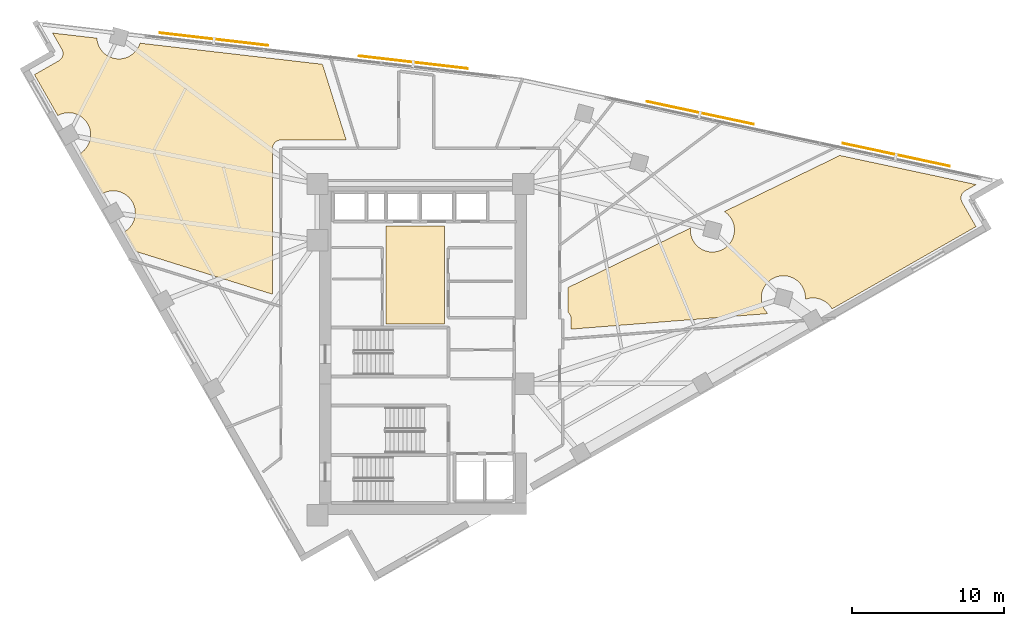
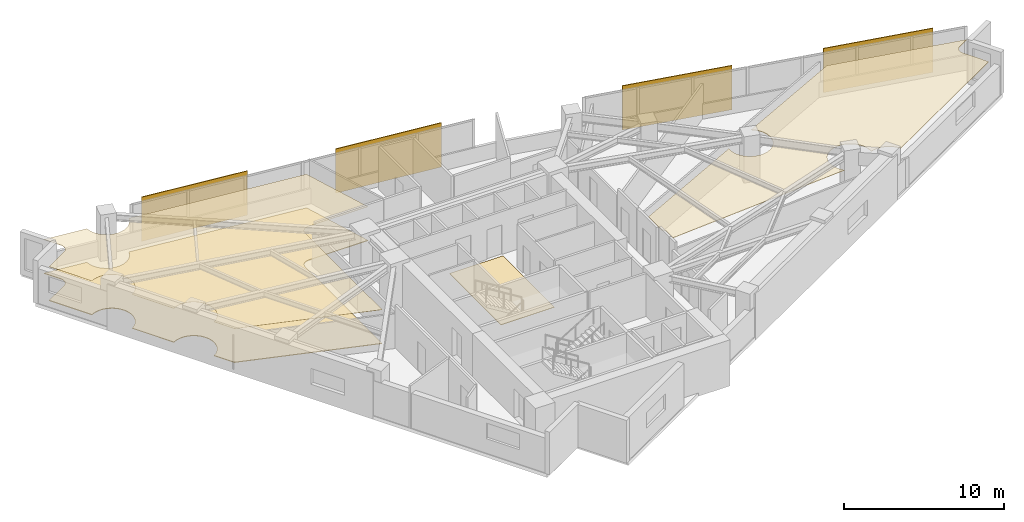
# One storey, part 14 of 14: 4 coverings, 4 shading devices.
"""IFC4 building model written with IfcOpenShell, lengths in metres."""

import ifcopenshell
import ifcopenshell.guid

model = None  # the IFC model being written
_history = None  # IfcOwnerHistory: only IFC2X3 demands one
_inside = {}  # id of a spatial element -> (the spatial element, [elements in it])
_under = {}  # id of a project, library or spatial element -> (it, [spatial elements below it])
_declared = {}  # id of a project -> (the project, [libraries it declares])
_typed = {}  # id of a type object -> (the type object, [elements of that type])
_made_of = {}  # id of a material, layer set ... -> (it, [elements and type objects made of it])


def new_model(schema):
    """Start an empty IFC model of exactly this schema.

    Asked for "IFC4X3", IfcOpenShell would pick the latest addendum, in which some entities
    have other attributes; the version numbers below select the first issue.
    IFC2X3 requires an IfcOwnerHistory on every rooted entity: one is made here for all.
    """
    global model, _history
    if schema == "IFC4X3":
        model = ifcopenshell.file(schema_version=(4, 3, 0, 0))
    else:
        model = ifcopenshell.file(schema=schema)
    _inside.clear()
    _under.clear()
    _declared.clear()
    _typed.clear()
    _made_of.clear()
    _history = None
    if model.schema == "IFC2X3":
        org = make("IfcOrganization", Name="unknown")
        user = make(
            "IfcPersonAndOrganization",
            ThePerson=make("IfcPerson", FamilyName="unknown"),
            TheOrganization=org,
        )
        app = make(
            "IfcApplication",
            ApplicationDeveloper=org,
            Version="unknown",
            ApplicationFullName="unknown",
            ApplicationIdentifier="unknown",
        )
        _history = make(
            "IfcOwnerHistory",
            OwningUser=user,
            OwningApplication=app,
            ChangeAction="ADDED",
            CreationDate=0,
        )
    return model


def make(cls, **values):
    """One entity of the class cls with the attributes given. An attribute that is None is left unset."""
    return model.create_entity(
        cls, **{name: value for name, value in values.items() if value is not None}
    )


def rooted(cls, **values):
    """An entity with a GlobalId (a new one), such as an element, a storey or a relation."""
    return make(cls, GlobalId=ifcopenshell.guid.new(), OwnerHistory=_history, **values)


def si_unit(unit_type, name, prefix=None):
    """IfcSIUnit, for example si_unit("LENGTHUNIT", "METRE", prefix="MILLI")."""
    return make("IfcSIUnit", UnitType=unit_type, Prefix=prefix, Name=name)


def assignment(units):
    """IfcUnitAssignment: the units of a project."""
    return None if units is None else make("IfcUnitAssignment", Units=units)


def point(xyz):
    """IfcCartesianPoint."""
    return None if xyz is None else make("IfcCartesianPoint", Coordinates=xyz)


def direction(xyz):
    """IfcDirection."""
    return None if xyz is None else make("IfcDirection", DirectionRatios=xyz)


def frame(location, z_axis=None, x_axis=None):
    """IfcAxis2Placement3D, a coordinate frame: its origin and axes. An axis left out is left unset."""
    return make(
        "IfcAxis2Placement3D",
        Location=point(location),
        Axis=direction(z_axis),
        RefDirection=direction(x_axis),
    )


def frame_2d(location, x_axis=None):
    """IfcAxis2Placement2D, a coordinate frame in the plane: its origin and x axis."""
    return make(
        "IfcAxis2Placement2D", Location=point(location), RefDirection=direction(x_axis)
    )


def origin():
    """The frame at (0, 0, 0) with its axes left unset."""
    return frame((0.0, 0.0, 0.0))


def origin_2d():
    """The frame at (0, 0) in the plane with its x axis left unset."""
    return frame_2d((0.0, 0.0))


def place(relative_to, where):
    """IfcLocalPlacement: puts the frame where relative to a parent placement (None: the world)."""
    return make(
        "IfcLocalPlacement", PlacementRelTo=relative_to, RelativePlacement=where
    )


def context(
    kind, dimensions, precision=None, world=None, true_north=None, identifier=None
):
    """IfcGeometricRepresentationContext, for example the 3D "Model" context."""
    return make(
        "IfcGeometricRepresentationContext",
        ContextIdentifier=identifier,
        ContextType=kind,
        CoordinateSpaceDimension=dimensions,
        Precision=precision,
        WorldCoordinateSystem=world,
        TrueNorth=true_north,
    )


def subcontext(parent, identifier, kind, view, scale=None):
    """IfcGeometricRepresentationSubContext, for example "Body" below "Model"."""
    return make(
        "IfcGeometricRepresentationSubContext",
        ContextIdentifier=identifier,
        ContextType=kind,
        ParentContext=parent,
        TargetScale=scale,
        TargetView=view,
    )


def project(units=None, contexts=None):
    """IfcProject with its units and contexts."""
    return rooted(
        "IfcProject",
        Name="project",
        RepresentationContexts=contexts,
        UnitsInContext=assignment(units),
    )


def spatial(cls, under=None, at=None, **own):
    """A site, building, storey or space (cls), placed at a placement, below another one or the project."""
    s = rooted(cls, ObjectPlacement=at, **own)
    if under is not None:
        _under.setdefault(under.id(), (under, []))[1].append(s)
    return s


def polyline(points):
    """IfcPolyline through the points."""
    return make("IfcPolyline", Points=[point(p) for p in points])


def profile(cls, at=None, kind="AREA", **sizes):
    """A parametric profile (cls). Its sizes go by their IFC names, for example OverallWidth=200.0."""
    return make(cls, ProfileType=kind, Position=at, **sizes)


def rectangle(**sizes):
    """IfcRectangleProfileDef."""
    return profile("IfcRectangleProfileDef", **sizes)


def outline(outer, holes=None, kind="AREA"):
    """IfcArbitraryClosedProfileDef: a profile drawn as a closed curve; with holes, ...WithVoids."""
    if holes is None:
        return make("IfcArbitraryClosedProfileDef", ProfileType=kind, OuterCurve=outer)
    return make(
        "IfcArbitraryProfileDefWithVoids",
        ProfileType=kind,
        OuterCurve=outer,
        InnerCurves=holes,
    )


def extrude(swept, where, along, depth):
    """IfcExtrudedAreaSolid: the profile swept, set in the frame where, extruded along a direction by depth."""
    return make(
        "IfcExtrudedAreaSolid",
        SweptArea=swept,
        Position=where,
        ExtrudedDirection=direction(along),
        Depth=depth,
    )


def shape(context_of_items, identifier, shape_type, items):
    """IfcShapeRepresentation: the items that make up one representation, for example the "Body"."""
    return make(
        "IfcShapeRepresentation",
        ContextOfItems=context_of_items,
        RepresentationIdentifier=identifier,
        RepresentationType=shape_type,
        Items=items,
    )


def material(Name=None, Category=None):
    """IfcMaterial."""
    return make("IfcMaterial", Name=Name, Category=Category)


def layer(
    of_material, thickness, ventilated=None, Name=None, Category=None, Priority=None
):
    """IfcMaterialLayer: one layer of a wall or slab, of a material (None: an air gap)."""
    return make(
        "IfcMaterialLayer",
        Material=of_material,
        LayerThickness=thickness,
        IsVentilated=ventilated,
        Name=Name,
        Category=Category,
        Priority=Priority,
    )


def layer_set(layers, Name=None):
    """IfcMaterialLayerSet."""
    return make("IfcMaterialLayerSet", MaterialLayers=layers, LayerSetName=Name)


def made_of(thing, what):
    """Note that an element or type object is made of a material, layer set ...; save() writes the relation."""
    if what is not None:
        _made_of.setdefault(what.id(), (what, []))[1].append(thing)
    return thing


def type_object(cls, material=None, **own):
    """A type object (cls), such as IfcWallType, which elements share."""
    return made_of(rooted(cls, **own), material)


def element(
    cls,
    number,
    at=None,
    inside=None,
    cuts=None,
    type_object=None,
    material=None,
    context=None,
    identifier="Body",
    shape_type=None,
    held_by="IfcProductDefinitionShape",
    body=None,
    shapes=None,
    **own,
):
    """One element of the class cls, such as IfcWall. Its Tag is "e" and its number.

    at: its placement. inside: the storey or other place that contains it. cuts: it is an
    opening in that element (IfcRelVoidsElement). A single representation is given by context,
    identifier, shape_type and body (its items); several are given by shapes. held_by: the class
    of the entity that holds the representations. save() writes the other relations.
    """
    e = rooted(cls, Tag="e%d" % number, ObjectPlacement=at, **own)
    if body is not None:
        shapes = [shape(context, identifier, shape_type, body)]
    if shapes is not None:
        e.Representation = make(held_by, Representations=shapes)
    if inside is not None:
        _inside.setdefault(inside.id(), (inside, []))[1].append(e)
    if cuts is not None:
        rooted(
            "IfcRelVoidsElement", RelatingBuildingElement=cuts, RelatedOpeningElement=e
        )
    if type_object is not None:
        _typed.setdefault(type_object.id(), (type_object, []))[1].append(e)
    return made_of(e, material)


def aggregate(whole, parts):
    """IfcRelAggregates: a whole, such as a stair, and the parts it consists of."""
    return rooted("IfcRelAggregates", RelatingObject=whole, RelatedObjects=parts)


def save(model, path):
    """Write the relations noted so far, then the file.

    IfcRelAggregates (storeys below a building ...), IfcRelContainedInSpatialStructure (elements
    in a storey), IfcRelDefinesByType, IfcRelAssociatesMaterial and IfcRelDeclares: one each for
    every whole, place, type object, material and project.
    """
    for whole, parts in _under.values():
        aggregate(whole, parts)
    for where, things in _inside.values():
        rooted(
            "IfcRelContainedInSpatialStructure",
            RelatedElements=things,
            RelatingStructure=where,
        )
    for kind, things in _typed.values():
        rooted("IfcRelDefinesByType", RelatedObjects=things, RelatingType=kind)
    for what, things in _made_of.values():
        rooted("IfcRelAssociatesMaterial", RelatedObjects=things, RelatingMaterial=what)
    for by, libraries in _declared.values():
        rooted("IfcRelDeclares", RelatingContext=by, RelatedDefinitions=libraries)
    model.write(path)


model = new_model("IFC4")

# Units and contexts
model_context = context("Model", 3, precision=1e-05, world=origin(), true_north=direction((0.0, 1.0)))
body_context = subcontext(model_context, "Body", "Model", "MODEL_VIEW")
ifc_project = project(units=[si_unit("LENGTHUNIT", "METRE"), si_unit("AREAUNIT", "SQUARE_METRE"), si_unit("VOLUMEUNIT", "CUBIC_METRE"), si_unit("PLANEANGLEUNIT", "RADIAN"), si_unit("MASSUNIT", "GRAM", prefix="KILO")], contexts=[model_context])

# Site, building, storey
site_placement = place(None, origin())
site = spatial("IfcSite", under=ifc_project, at=site_placement, CompositionType="ELEMENT")
building_placement = place(site_placement, origin())
building = spatial("IfcBuilding", under=site, at=building_placement, Name="Narakoshi Arena Tower", CompositionType="ELEMENT")
storey_placement = place(building_placement, frame((0.0, 0.0, 211.4599609375)))
storey = spatial("IfcBuildingStorey", under=building, at=storey_placement, Name="L57", CompositionType="ELEMENT", Elevation=211.4599609375)

# Coverings
ifc_material_1 = material(Name="Acoustic mineral-fibre ceiling tile")
ifc_layer_1 = layer(ifc_material_1, 0.02001953125)
ifc_layer_set_1 = layer_set([ifc_layer_1], Name="Acoustic mineral-fibre ceiling tile")
covering_type_1 = type_object("IfcCoveringType", Name="COV-CLG-AC20", PredefinedType="CEILING", material=ifc_layer_set_1)
covering_1_placement = place(storey_placement, frame((0.0, 0.0, 2.590087890625)))
element("IfcCovering", 1, at=covering_1_placement, inside=storey, type_object=covering_type_1, Name="L57 Suspended Acoustic Ceiling 1", PredefinedType="CEILING", context=body_context, shape_type="SweptSolid", body=[
    extrude(outline(polyline([(54.981201171875, 64.615478515625), (55.026611328125, 64.644287109375), (55.069091796875, 64.677734375), (55.10791015625, 64.715087890625), (55.14306640625, 64.756103515625), (55.174072265625, 64.80029296875), (55.200439453125, 64.847412109375), (55.22216796875, 64.89697265625), (55.23876953125, 64.9482421875), (55.25048828125, 65.0009765625), (55.2568359375, 65.054443359375), (55.258056640625, 65.1083984375), (55.25390625, 65.162353515625), (55.244384765625, 65.215576171875), (55.229736328125, 65.267333984375), (55.210205078125, 65.317626953125), (55.185791015625, 65.36572265625), (54.573486328125, 66.43701171875), (57.48828125, 66.099609375), (57.4912109375, 66.041748046875), (57.51220703125, 65.90087890625), (57.546630859375, 65.762939453125), (57.5947265625, 65.62890625), (57.655517578125, 65.500244140625), (57.728759765625, 65.378173828125), (57.8134765625, 65.263916015625), (57.908935546875, 65.158447265625), (58.014404296875, 65.06298828125), (58.128662109375, 64.978271484375), (58.250732421875, 64.905029296875), (58.37939453125, 64.84423828125), (58.513427734375, 64.796142578125), (58.6513671875, 64.76171875), (58.792236328125, 64.74072265625), (58.934326171875, 64.73388671875), (59.076416015625, 64.74072265625), (59.21728515625, 64.76171875), (59.355224609375, 64.796142578125), (59.4892578125, 64.84423828125), (59.617919921875, 64.905029296875), (59.739990234375, 64.978271484375), (59.854248046875, 65.06298828125), (59.959716796875, 65.158447265625), (60.05517578125, 65.263916015625), (60.139892578125, 65.378173828125), (60.213134765625, 65.500244140625), (60.27392578125, 65.62890625), (60.322021484375, 65.762939453125), (60.323974609375, 65.771240234375), (72.333251953125, 64.380615234375), (73.89208984375, 59.39990234375), (69.60009765625, 59.39990234375), (69.546142578125, 59.3974609375), (69.49267578125, 59.389404296875), (69.440185546875, 59.376220703125), (69.389404296875, 59.358154296875), (69.3408203125, 59.335205078125), (69.29443359375, 59.307373046875), (69.251220703125, 59.275146484375), (69.211181640625, 59.239013671875), (69.1748046875, 59.198974609375), (69.142578125, 59.155517578125), (69.114990234375, 59.109375), (69.091796875, 59.060546875), (69.07373046875, 59.009765625), (69.060546875, 58.957275390625), (69.052490234375, 58.90380859375), (69.050048828125, 58.85009765625), (69.050048828125, 49.242919921875), (60.02001953125, 52.07177734375), (59.290283203125, 53.348388671875), (59.368408203125, 53.3955078125), (59.482666015625, 53.47998046875), (59.588134765625, 53.57568359375), (59.68359375, 53.68115234375), (59.768310546875, 53.79541015625), (59.841552734375, 53.91748046875), (59.90234375, 54.046142578125), (59.950439453125, 54.18017578125), (59.98486328125, 54.318115234375), (60.005859375, 54.458984375), (60.0126953125, 54.60107421875), (60.005859375, 54.7431640625), (59.98486328125, 54.8837890625), (59.950439453125, 55.02197265625), (59.90234375, 55.156005859375), (59.841552734375, 55.284423828125), (59.768310546875, 55.406494140625), (59.68359375, 55.52099609375), (59.588134765625, 55.626220703125), (59.482666015625, 55.721923828125), (59.368408203125, 55.806640625), (59.246337890625, 55.8798828125), (59.11767578125, 55.940673828125), (58.983642578125, 55.988525390625), (58.845703125, 56.023193359375), (58.704833984375, 56.0439453125), (58.562744140625, 56.051025390625), (58.420654296875, 56.0439453125), (58.27978515625, 56.023193359375), (58.141845703125, 55.988525390625), (58.0078125, 55.940673828125), (57.87939453125, 55.8798828125), (57.8525390625, 55.86376953125), (56.35205078125, 58.489013671875), (56.430419921875, 58.535888671875), (56.544677734375, 58.62060546875), (56.64990234375, 58.71630859375), (56.74560546875, 58.82177734375), (56.830322265625, 58.93603515625), (56.903564453125, 59.05810546875), (56.96435546875, 59.186767578125), (57.01220703125, 59.32080078125), (57.046875, 59.458740234375), (57.067626953125, 59.599609375), (57.07470703125, 59.74169921875), (57.067626953125, 59.8837890625), (57.046875, 60.0244140625), (57.01220703125, 60.16259765625), (56.96435546875, 60.29638671875), (56.903564453125, 60.425048828125), (56.830322265625, 60.547119140625), (56.74560546875, 60.66162109375), (56.64990234375, 60.766845703125), (56.544677734375, 60.862548828125), (56.430419921875, 60.947265625), (56.30810546875, 61.0205078125), (56.1796875, 61.081298828125), (56.045654296875, 61.129150390625), (55.90771484375, 61.163818359375), (55.766845703125, 61.1845703125), (55.624755859375, 61.191650390625), (55.482666015625, 61.1845703125), (55.341796875, 61.163818359375), (55.203857421875, 61.129150390625), (55.06982421875, 61.081298828125), (54.941162109375, 61.0205078125), (54.91455078125, 61.00439453125), (53.375244140625, 63.697509765625), (54.981201171875, 64.615478515625)])), origin(), (0.0, 0.0, 1.0), 0.02001953125),
])
ifc_material_2 = material(Name="Slatted oak acoustic timber baffle", Category="wood")
ifc_layer_2 = layer(ifc_material_2, 0.034912109375)
ifc_layer_set_2 = layer_set([ifc_layer_2], Name="Slatted oak acoustic timber baffle")
covering_type_2 = type_object("IfcCoveringType", Name="COV-CLG-WD35", PredefinedType="CEILING", material=ifc_layer_set_2)
covering_2_placement = place(storey_placement, frame((0.0, 0.0, 2.574951171875)))
element("IfcCovering", 2, at=covering_2_placement, inside=storey, type_object=covering_type_2, Name="L57 Suspended Acoustic Ceiling 2", PredefinedType="CEILING", context=body_context, shape_type="SweptSolid", body=[
    extrude(outline(polyline([(88.5, 49.688720703125), (96.55419921875, 53.6025390625), (96.5478515625, 53.47509765625), (96.554931640625, 53.3330078125), (96.57568359375, 53.1923828125), (96.6103515625, 53.05419921875), (96.658203125, 52.92041015625), (96.718994140625, 52.791748046875), (96.792236328125, 52.669677734375), (96.876953125, 52.555419921875), (96.97265625, 52.449951171875), (97.077880859375, 52.354248046875), (97.1923828125, 52.26953125), (97.314453125, 52.1962890625), (97.443115234375, 52.135498046875), (97.576904296875, 52.087646484375), (97.715087890625, 52.052978515625), (97.855712890625, 52.0322265625), (97.997802734375, 52.025146484375), (98.139892578125, 52.0322265625), (98.28076171875, 52.052978515625), (98.418701171875, 52.087646484375), (98.552734375, 52.135498046875), (98.681396484375, 52.1962890625), (98.803466796875, 52.26953125), (98.917724609375, 52.354248046875), (99.023193359375, 52.449951171875), (99.118896484375, 52.555419921875), (99.20361328125, 52.669677734375), (99.276611328125, 52.791748046875), (99.33740234375, 52.92041015625), (99.385498046875, 53.05419921875), (99.419921875, 53.1923828125), (99.44091796875, 53.3330078125), (99.447998046875, 53.47509765625), (99.44091796875, 53.6171875), (99.419921875, 53.758056640625), (99.385498046875, 53.89599609375), (99.33740234375, 54.030029296875), (99.276611328125, 54.15869140625), (99.20361328125, 54.28076171875), (99.118896484375, 54.39501953125), (99.023193359375, 54.50048828125), (98.917724609375, 54.59619140625), (98.803466796875, 54.680908203125), (98.789794921875, 54.68896484375), (106.384765625, 58.37939453125), (115.35791015625, 56.462890625), (114.636962890625, 56.05078125), (114.591552734375, 56.021728515625), (114.549072265625, 55.98828125), (114.510009765625, 55.950927734375), (114.47509765625, 55.909912109375), (114.444091796875, 55.86572265625), (114.417724609375, 55.818603515625), (114.39599609375, 55.769287109375), (114.37939453125, 55.718017578125), (114.36767578125, 55.665283203125), (114.361083984375, 55.61181640625), (114.360107421875, 55.5576171875), (114.3642578125, 55.50390625), (114.373779296875, 55.45068359375), (114.38818359375, 55.398681640625), (114.407958984375, 55.348388671875), (114.432373046875, 55.30029296875), (115.35009765625, 53.694580078125), (105.927490234375, 48.30908203125), (105.856689453125, 48.303466796875), (105.825439453125, 48.355712890625), (105.74072265625, 48.469970703125), (105.64501953125, 48.5751953125), (105.539794921875, 48.6708984375), (105.42529296875, 48.755615234375), (105.30322265625, 48.828857421875), (105.1748046875, 48.8896484375), (105.040771484375, 48.9375), (104.902587890625, 48.97216796875), (104.761962890625, 48.992919921875), (104.619873046875, 49.0), (104.477783203125, 48.992919921875), (104.3369140625, 48.97216796875), (104.198974609375, 48.9375), (104.11376953125, 48.906982421875), (104.118896484375, 49.009521484375), (104.11181640625, 49.151611328125), (104.0908203125, 49.29248046875), (104.056396484375, 49.430419921875), (104.00830078125, 49.564453125), (103.947509765625, 49.693115234375), (103.87451171875, 49.815185546875), (103.789794921875, 49.929443359375), (103.694091796875, 50.034912109375), (103.588623046875, 50.13037109375), (103.474365234375, 50.215087890625), (103.352294921875, 50.288330078125), (103.2236328125, 50.34912109375), (103.089599609375, 50.397216796875), (102.95166015625, 50.431640625), (102.810791015625, 50.452392578125), (102.668701171875, 50.45947265625), (102.526611328125, 50.452392578125), (102.385986328125, 50.431640625), (102.247802734375, 50.397216796875), (102.114013671875, 50.34912109375), (101.9853515625, 50.288330078125), (101.86328125, 50.215087890625), (101.748779296875, 50.13037109375), (101.6435546875, 50.034912109375), (101.5478515625, 49.929443359375), (101.463134765625, 49.815185546875), (101.389892578125, 49.693115234375), (101.3291015625, 49.564453125), (101.28125, 49.430419921875), (101.24658203125, 49.29248046875), (101.225830078125, 49.151611328125), (101.21875, 49.009521484375), (101.225830078125, 48.867431640625), (101.24658203125, 48.7265625), (101.28125, 48.588623046875), (101.3291015625, 48.45458984375), (101.389892578125, 48.325927734375), (101.463134765625, 48.203857421875), (101.5478515625, 48.089599609375), (101.6435546875, 47.984130859375), (101.65771484375, 47.97119140625), (88.699951171875, 46.946533203125), (88.699951171875, 47.6201171875), (88.697509765625, 47.673828125), (88.689453125, 47.727294921875), (88.67626953125, 47.77978515625), (88.658203125, 47.83056640625), (88.635009765625, 47.87939453125), (88.607421875, 47.925537109375), (88.5751953125, 47.968994140625), (88.538818359375, 48.0087890625), (88.5, 48.044189453125), (88.5, 49.688720703125)])), origin(), (0.0, 0.0, 1.0), 0.03515625),
])
ifc_material_3 = material(Name="Raised steel access floor panel", Category="steel")
ifc_layer_3 = layer(ifc_material_3, 0.044921875)
ifc_layer_set_3 = layer_set([ifc_layer_3], Name="Raised steel access floor panel")
covering_type_3 = type_object("IfcCoveringType", Name="COV-FLR-RF45", PredefinedType="FLOORING", material=ifc_layer_set_3)
covering_3_placement = place(storey_placement, origin())
element("IfcCovering", 3, at=covering_3_placement, inside=storey, type_object=covering_type_3, Name="L57 Raised Steel Access Floor", PredefinedType="FLOORING", context=body_context, shape_type="SweptSolid", body=[
    extrude(outline(polyline([(54.981201171875, 64.615478515625), (55.026611328125, 64.644287109375), (55.069091796875, 64.677734375), (55.10791015625, 64.715087890625), (55.14306640625, 64.756103515625), (55.174072265625, 64.80029296875), (55.200439453125, 64.847412109375), (55.22216796875, 64.89697265625), (55.23876953125, 64.9482421875), (55.25048828125, 65.0009765625), (55.2568359375, 65.054443359375), (55.258056640625, 65.1083984375), (55.25390625, 65.162353515625), (55.244384765625, 65.215576171875), (55.229736328125, 65.267333984375), (55.210205078125, 65.317626953125), (55.185791015625, 65.36572265625), (54.573486328125, 66.43701171875), (57.48828125, 66.099609375), (57.4912109375, 66.041748046875), (57.51220703125, 65.90087890625), (57.546630859375, 65.762939453125), (57.5947265625, 65.62890625), (57.655517578125, 65.500244140625), (57.728759765625, 65.378173828125), (57.8134765625, 65.263916015625), (57.908935546875, 65.158447265625), (58.014404296875, 65.06298828125), (58.128662109375, 64.978271484375), (58.250732421875, 64.905029296875), (58.37939453125, 64.84423828125), (58.513427734375, 64.796142578125), (58.6513671875, 64.76171875), (58.792236328125, 64.74072265625), (58.934326171875, 64.73388671875), (59.076416015625, 64.74072265625), (59.21728515625, 64.76171875), (59.355224609375, 64.796142578125), (59.4892578125, 64.84423828125), (59.617919921875, 64.905029296875), (59.739990234375, 64.978271484375), (59.854248046875, 65.06298828125), (59.959716796875, 65.158447265625), (60.05517578125, 65.263916015625), (60.139892578125, 65.378173828125), (60.213134765625, 65.500244140625), (60.27392578125, 65.62890625), (60.322021484375, 65.762939453125), (60.323974609375, 65.771240234375), (72.333251953125, 64.380615234375), (73.89208984375, 59.39990234375), (69.60009765625, 59.39990234375), (69.546142578125, 59.3974609375), (69.49267578125, 59.389404296875), (69.440185546875, 59.376220703125), (69.389404296875, 59.358154296875), (69.3408203125, 59.335205078125), (69.29443359375, 59.307373046875), (69.251220703125, 59.275146484375), (69.211181640625, 59.239013671875), (69.1748046875, 59.198974609375), (69.142578125, 59.155517578125), (69.114990234375, 59.109375), (69.091796875, 59.060546875), (69.07373046875, 59.009765625), (69.060546875, 58.957275390625), (69.052490234375, 58.90380859375), (69.050048828125, 58.85009765625), (69.050048828125, 49.242919921875), (60.02001953125, 52.07177734375), (59.290283203125, 53.348388671875), (59.368408203125, 53.3955078125), (59.482666015625, 53.47998046875), (59.588134765625, 53.57568359375), (59.68359375, 53.68115234375), (59.768310546875, 53.79541015625), (59.841552734375, 53.91748046875), (59.90234375, 54.046142578125), (59.950439453125, 54.18017578125), (59.98486328125, 54.318115234375), (60.005859375, 54.458984375), (60.0126953125, 54.60107421875), (60.005859375, 54.7431640625), (59.98486328125, 54.8837890625), (59.950439453125, 55.02197265625), (59.90234375, 55.156005859375), (59.841552734375, 55.284423828125), (59.768310546875, 55.406494140625), (59.68359375, 55.52099609375), (59.588134765625, 55.626220703125), (59.482666015625, 55.721923828125), (59.368408203125, 55.806640625), (59.246337890625, 55.8798828125), (59.11767578125, 55.940673828125), (58.983642578125, 55.988525390625), (58.845703125, 56.023193359375), (58.704833984375, 56.0439453125), (58.562744140625, 56.051025390625), (58.420654296875, 56.0439453125), (58.27978515625, 56.023193359375), (58.141845703125, 55.988525390625), (58.0078125, 55.940673828125), (57.87939453125, 55.8798828125), (57.8525390625, 55.86376953125), (56.35205078125, 58.489013671875), (56.430419921875, 58.535888671875), (56.544677734375, 58.62060546875), (56.64990234375, 58.71630859375), (56.74560546875, 58.82177734375), (56.830322265625, 58.93603515625), (56.903564453125, 59.05810546875), (56.96435546875, 59.186767578125), (57.01220703125, 59.32080078125), (57.046875, 59.458740234375), (57.067626953125, 59.599609375), (57.07470703125, 59.74169921875), (57.067626953125, 59.8837890625), (57.046875, 60.0244140625), (57.01220703125, 60.16259765625), (56.96435546875, 60.29638671875), (56.903564453125, 60.425048828125), (56.830322265625, 60.547119140625), (56.74560546875, 60.66162109375), (56.64990234375, 60.766845703125), (56.544677734375, 60.862548828125), (56.430419921875, 60.947265625), (56.30810546875, 61.0205078125), (56.1796875, 61.081298828125), (56.045654296875, 61.129150390625), (55.90771484375, 61.163818359375), (55.766845703125, 61.1845703125), (55.624755859375, 61.191650390625), (55.482666015625, 61.1845703125), (55.341796875, 61.163818359375), (55.203857421875, 61.129150390625), (55.06982421875, 61.081298828125), (54.941162109375, 61.0205078125), (54.91455078125, 61.00439453125), (53.375244140625, 63.697509765625), (54.981201171875, 64.615478515625)])), origin(), (0.0, 0.0, 1.0), 0.044921875),
])
ifc_material_4 = material(Name="Honed granite stone paving", Category="masonry")
ifc_layer_4 = layer(ifc_material_4, 0.030029296875)
ifc_layer_set_4 = layer_set([ifc_layer_4], Name="Honed granite stone paving")
covering_type_4 = type_object("IfcCoveringType", Name="COV-FLR-ST30", PredefinedType="FLOORING", material=ifc_layer_set_4)
covering_4_placement = place(storey_placement, origin())
element("IfcCovering", 4, at=covering_4_placement, inside=storey, type_object=covering_type_4, Name="L57 Lift Lobby Granite Flooring", PredefinedType="FLOORING", context=body_context, shape_type="SweptSolid", body=[
    extrude(outline(polyline([(76.5, 47.300048828125), (80.35009765625, 47.300048828125), (80.35009765625, 53.75), (76.5, 53.75), (76.5, 47.300048828125)])), origin(), (0.0, 0.0, 1.0), 0.030029296875),
])

# Shading devices
ifc_material_5 = material(Name="Perforated bronze ceramic-metal composite")
ifc_layer_5 = layer(ifc_material_5, 0.06005859375)
ifc_layer_set_5 = layer_set([ifc_layer_5], Name="Perforated bronze ceramic-metal composite")
shading_device_type = type_object("IfcShadingDeviceType", Name="SHD-SCR-BRZ2", PredefinedType="USERDEFINED", material=ifc_layer_set_5)
for number, where, z_axis, x_axis, name in (
    (5, (110.10107421875, 58.42431640625, 0.0), (0.0, 0.0, 1.0), (-0.977936632473, 0.208901754101, 0.0), "L57 Perforated Bronze Solar Screen 1-1"),
    (6, (97.1923828125, 61.181640625, 0.0), (0.0, 0.0, 1.0), (-0.977936632473, 0.208901754101, 0.0), "L57 Perforated Bronze Solar Screen 1-2"),
    (7, (78.312255859375, 64.513916015625, 0.0), (0.0, 0.0, 1.0), (-0.993364739053, 0.115006500715, 0.0), "L57 Perforated Bronze Solar Screen 2-1"),
    (8, (65.199951171875, 66.031982421875, 0.0), (0.0, 0.0, 1.0), (-0.993364739053, 0.115006500715, 0.0), "L57 Perforated Bronze Solar Screen 2-2"),
):
    element("IfcShadingDevice", number, at=place(storey_placement, frame(where, z_axis=z_axis, x_axis=x_axis)), inside=storey, type_object=shading_device_type, Name=name, ObjectType="SOLAR SCREEN", PredefinedType="USERDEFINED", context=body_context, shape_type="SweptSolid", body=[
        extrude(rectangle(XDim=7.199951171875, YDim=0.06005859375, at=origin_2d()), origin(), (0.0, 0.0, 1.0), 3.3701171875),
    ])

save(model, "model.ifc")
